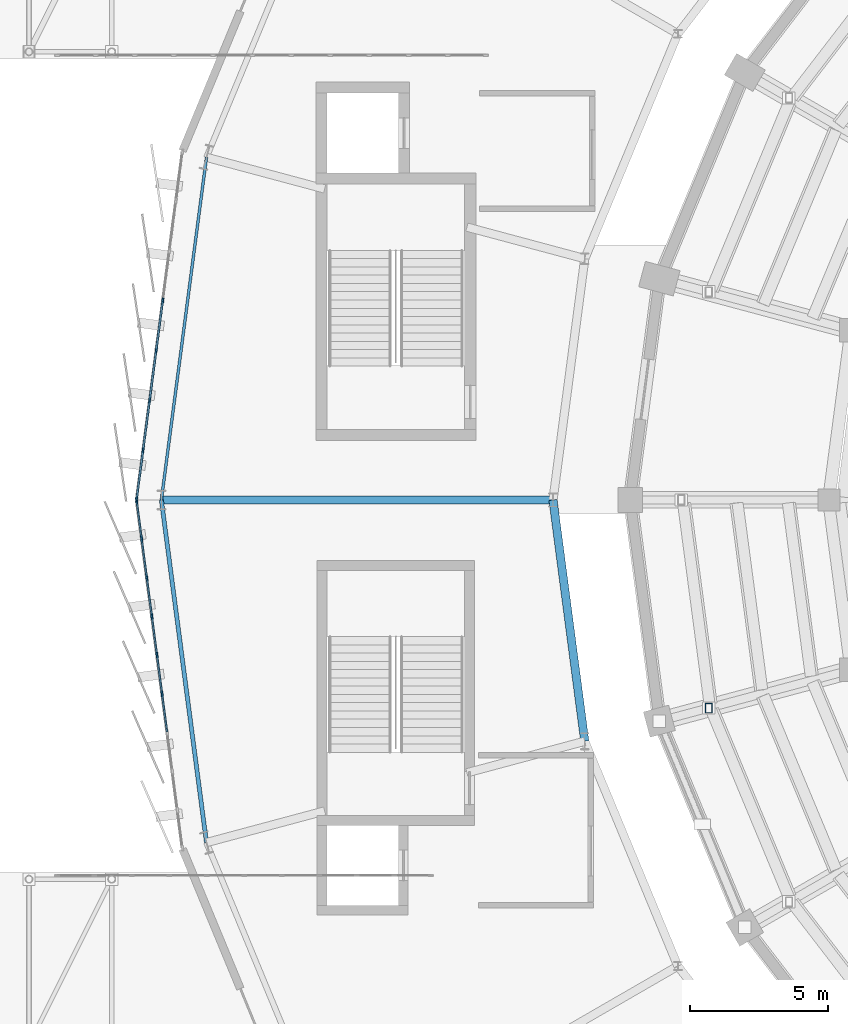
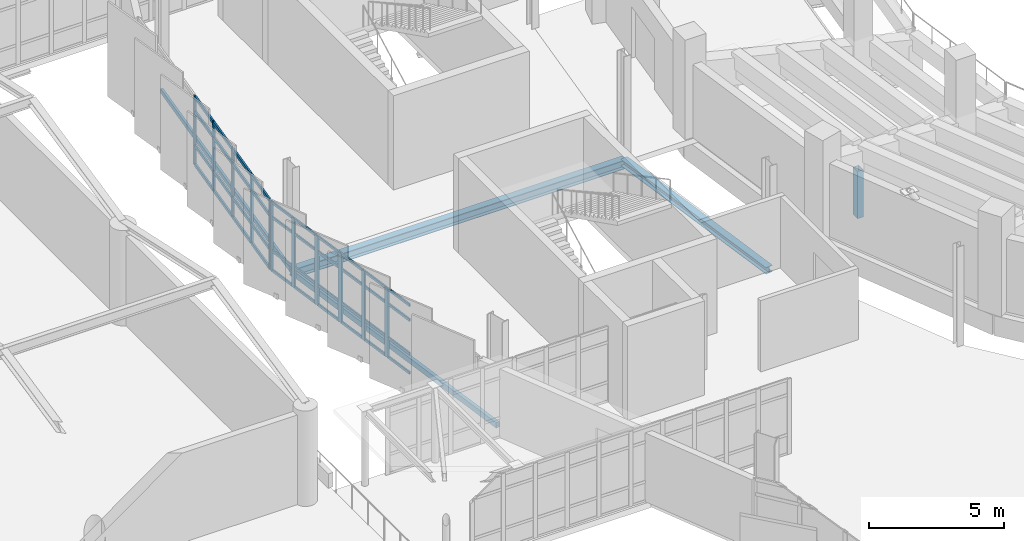
# One storey, part 41 of 120: 52 members, 4 beams, 2 elements without a shape of their own.
"""IFC4 building model written with IfcOpenShell, lengths in metres."""

from ifc_helpers import new_model, si_unit, direction, frame, origin, origin_2d, place, context, subcontext, project, spatial, rectangle, hollow_rectangle, i_section, extrude, material, layer, layer_set, material_profile, profile_set, type_object, element, aggregate, save


model = new_model("IFC4")

# Units and contexts
model_context = context("Model", 3, precision=1e-05, world=origin(), true_north=direction((0.0, 1.0)))
body_context = subcontext(model_context, "Body", "Model", "MODEL_VIEW")
ifc_project = project(units=[si_unit("LENGTHUNIT", "METRE"), si_unit("AREAUNIT", "SQUARE_METRE"), si_unit("VOLUMEUNIT", "CUBIC_METRE"), si_unit("PLANEANGLEUNIT", "RADIAN"), si_unit("MASSUNIT", "GRAM", prefix="KILO")], contexts=[model_context])

# Site, building, storey
site_placement = place(None, origin())
site = spatial("IfcSite", under=ifc_project, at=site_placement, CompositionType="ELEMENT")
building_placement = place(site_placement, origin())
building = spatial("IfcBuilding", under=site, at=building_placement, Name="Sohan Crest Arena", CompositionType="ELEMENT")
storey_placement = place(building_placement, frame((0.0, 0.0, 13.5)))
storey = spatial("IfcBuildingStorey", under=building, at=storey_placement, Name="L03", CompositionType="ELEMENT", Elevation=13.5)

# Curtain wall, members
ifc_material_1 = material(Name="Thermally broken anodised aluminium", Category="aluminium")
ifc_layer_1 = layer(ifc_material_1, 0.2099609375, Name="Thermally broken anodised aluminium")
ifc_layer_set_1 = layer_set([ifc_layer_1], Name="Thermally broken anodised aluminium")
curtain_wall_type_1 = type_object("IfcCurtainWallType", Name="ARC-CW06", PredefinedType="NOTDEFINED", material=ifc_layer_set_1)
curtain_wall_1_placement = place(storey_placement, origin())
curtain_wall_1 = element("IfcCurtainWall", 1, at=curtain_wall_1_placement, inside=storey, type_object=curtain_wall_type_1, Name="Unitised curtain wall CW-084", PredefinedType="NOTDEFINED")
ifc_material_profile_1 = material_profile(ifc_material_1, rectangle(XDim=0.06494140625, YDim=0.179931640625, at=origin_2d()), Name="ALU-MULL 65x180")
ifc_profile_set_1 = profile_set([ifc_material_profile_1], Name="Thermally broken anodised aluminium")
member_type_1 = type_object("IfcMemberType", Name="ARC-CW-ML02", PredefinedType="MULLION", material=ifc_profile_set_1)
member_1_placement = place(storey_placement, frame((50.052001953125, 85.23193359375, 0.0), z_axis=(0.0, 0.0, 1.0), x_axis=(0.991446828069, -0.130511252817, 0.0)))
member_1 = element("IfcMember", 2, at=member_1_placement, type_object=member_type_1, Name="CW-084 mullion 4", PredefinedType="MULLION", context=body_context, shape_type="SweptSolid", body=[
    extrude(rectangle(XDim=0.06494140625, YDim=0.179931640625, at=origin_2d()), origin(), (0.0, 0.0, 1.0), 3.1201171875),
])
member_2_placement = place(storey_placement, frame((49.81396484375, 83.424072265625, 0.0), z_axis=(0.0, 0.0, 1.0), x_axis=(0.991446828069, -0.130511252817, 0.0)))
member_2 = element("IfcMember", 3, at=member_2_placement, type_object=member_type_1, Name="CW-084 mullion 5", PredefinedType="MULLION", context=body_context, shape_type="SweptSolid", body=[
    extrude(rectangle(XDim=0.06494140625, YDim=0.179931640625, at=origin_2d()), origin(), (0.0, 0.0, 1.0), 3.1201171875),
])
member_3_placement = place(storey_placement, frame((49.575927734375, 81.615966796875, 0.0), z_axis=(0.0, 0.0, 1.0), x_axis=(0.991446828069, -0.130511252817, 0.0)))
member_3 = element("IfcMember", 4, at=member_3_placement, type_object=member_type_1, Name="CW-084 mullion 6", PredefinedType="MULLION", context=body_context, shape_type="SweptSolid", body=[
    extrude(rectangle(XDim=0.06494140625, YDim=0.179931640625, at=origin_2d()), origin(), (0.0, 0.0, 1.0), 3.1201171875),
])
member_4_placement = place(storey_placement, frame((49.337890625, 79.80810546875, 0.0), z_axis=(0.0, 0.0, 1.0), x_axis=(0.991446828069, -0.130511252817, 0.0)))
member_4 = element("IfcMember", 5, at=member_4_placement, type_object=member_type_1, Name="CW-084 mullion 7", PredefinedType="MULLION", context=body_context, shape_type="SweptSolid", body=[
    extrude(rectangle(XDim=0.06494140625, YDim=0.179931640625, at=origin_2d()), origin(), (0.0, 0.0, 1.0), 3.1201171875),
])
member_5_placement = place(storey_placement, frame((49.104248046875, 78.0322265625, 0.0), z_axis=(0.0, 0.0, 1.0), x_axis=(0.991446828069, -0.130511252817, 0.0)))
member_5 = element("IfcMember", 6, at=member_5_placement, type_object=member_type_1, Name="CW-084 mullion 8", PredefinedType="MULLION", context=body_context, shape_type="SweptSolid", body=[
    extrude(rectangle(XDim=0.06494140625, YDim=0.179931640625, at=origin_2d()), origin(), (0.0, 0.0, 1.0), 3.1201171875),
])

ifc_layer_2 = layer(ifc_material_1, 0.179931640625, Name="Thermally broken anodised aluminium")
ifc_layer_set_2 = layer_set([ifc_layer_2], Name="Thermally broken anodised aluminium")
curtain_wall_type_2 = type_object("IfcCurtainWallType", Name="ARC-CW01", PredefinedType="NOTDEFINED", material=ifc_layer_set_2)
curtain_wall_2_placement = place(storey_placement, origin())
curtain_wall_2 = element("IfcCurtainWall", 7, at=curtain_wall_2_placement, inside=storey, type_object=curtain_wall_type_2, Name="Unitised curtain wall CW-085", PredefinedType="NOTDEFINED")
ifc_material_profile_2 = material_profile(ifc_material_1, rectangle(XDim=0.070068359375, YDim=0.199951171875, at=origin_2d()), Name="ALU-MULL 70x200")
ifc_profile_set_2 = profile_set([ifc_material_profile_2], Name="Thermally broken anodised aluminium")
member_type_2 = type_object("IfcMemberType", Name="ARC-CW-ML03", PredefinedType="MULLION", material=ifc_profile_set_2)
member_6_placement = place(storey_placement, frame((49.1044921875, 77.96533203125, 0.0), z_axis=(0.0, 0.0, 1.0), x_axis=(0.991446828069, 0.130511252817, 0.0)))
member_6 = element("IfcMember", 8, at=member_6_placement, type_object=member_type_2, Name="CW-085 mullion 1", PredefinedType="MULLION", context=body_context, shape_type="SweptSolid", body=[
    extrude(rectangle(XDim=0.070068359375, YDim=0.199951171875, at=origin_2d()), origin(), (0.0, 0.0, 1.0), 3.1201171875),
])
member_7_placement = place(storey_placement, frame((49.28515625, 76.59375, 0.0), z_axis=(0.0, 0.0, 1.0), x_axis=(0.991446828069, 0.130511252817, 0.0)))
member_7 = element("IfcMember", 9, at=member_7_placement, type_object=member_type_2, Name="CW-085 mullion 2", PredefinedType="MULLION", context=body_context, shape_type="SweptSolid", body=[
    extrude(rectangle(XDim=0.070068359375, YDim=0.199951171875, at=origin_2d()), origin(), (0.0, 0.0, 1.0), 3.1201171875),
])
member_8_placement = place(storey_placement, frame((49.47021484375, 75.1875, 0.0), z_axis=(0.0, 0.0, 1.0), x_axis=(0.991446828069, 0.130511252817, 0.0)))
member_8 = element("IfcMember", 10, at=member_8_placement, type_object=member_type_2, Name="CW-085 mullion 3", PredefinedType="MULLION", context=body_context, shape_type="SweptSolid", body=[
    extrude(rectangle(XDim=0.070068359375, YDim=0.199951171875, at=origin_2d()), origin(), (0.0, 0.0, 1.0), 3.1201171875),
])
member_9_placement = place(storey_placement, frame((49.6552734375, 73.78125, 0.0), z_axis=(0.0, 0.0, 1.0), x_axis=(0.991446828069, 0.130511252817, 0.0)))
member_9 = element("IfcMember", 11, at=member_9_placement, type_object=member_type_2, Name="CW-085 mullion 4", PredefinedType="MULLION", context=body_context, shape_type="SweptSolid", body=[
    extrude(rectangle(XDim=0.070068359375, YDim=0.199951171875, at=origin_2d()), origin(), (0.0, 0.0, 1.0), 3.1201171875),
])
member_10_placement = place(storey_placement, frame((49.84033203125, 72.375, 0.0), z_axis=(0.0, 0.0, 1.0), x_axis=(0.991446828069, 0.130511252817, 0.0)))
member_10 = element("IfcMember", 12, at=member_10_placement, type_object=member_type_2, Name="CW-085 mullion 5", PredefinedType="MULLION", context=body_context, shape_type="SweptSolid", body=[
    extrude(rectangle(XDim=0.070068359375, YDim=0.199951171875, at=origin_2d()), origin(), (0.0, 0.0, 1.0), 3.1201171875),
])
member_11_placement = place(storey_placement, frame((50.025634765625, 70.968994140625, 0.0), z_axis=(0.0, 0.0, 1.0), x_axis=(0.991446828069, 0.130511252817, 0.0)))
member_11 = element("IfcMember", 13, at=member_11_placement, type_object=member_type_2, Name="CW-085 mullion 6", PredefinedType="MULLION", context=body_context, shape_type="SweptSolid", body=[
    extrude(rectangle(XDim=0.070068359375, YDim=0.199951171875, at=origin_2d()), origin(), (0.0, 0.0, 1.0), 3.1201171875),
])
ifc_material_profile_3 = material_profile(ifc_material_1, rectangle(XDim=0.06005859375, YDim=0.1201171875, at=origin_2d()), Name="ALU-TRAN 60x120")
ifc_profile_set_3 = profile_set([ifc_material_profile_3], Name="Thermally broken anodised aluminium")
member_type_3 = type_object("IfcMemberType", Name="ARC-CW-TR01", PredefinedType="USERDEFINED", material=ifc_profile_set_3)
member_12_placement = place(storey_placement, frame((49.109130859375, 77.9306640625, 0.030029296875), z_axis=(0.130483361537, -0.991450499199, 0.0), x_axis=(0.991450499199, 0.130483361537, 0.0)))
member_12 = element("IfcMember", 14, at=member_12_placement, type_object=member_type_3, Name="CW-085 transom 1.1", ObjectType="TRANSOM", PredefinedType="USERDEFINED", context=body_context, shape_type="SweptSolid", body=[
    extrude(rectangle(XDim=0.06005859375, YDim=0.1201171875, at=origin_2d()), origin(), (0.0, 0.0, 1.0), 1.3134765625),
])
member_13_placement = place(storey_placement, frame((49.109130859375, 77.9306640625, 0.89990234375), z_axis=(0.130483361537, -0.991450499199, 0.0), x_axis=(0.991450499199, 0.130483361537, 0.0)))
member_13 = element("IfcMember", 15, at=member_13_placement, type_object=member_type_3, Name="CW-085 transom 1.2", ObjectType="TRANSOM", PredefinedType="USERDEFINED", context=body_context, shape_type="SweptSolid", body=[
    extrude(rectangle(XDim=0.06005859375, YDim=0.1201171875, at=origin_2d()), origin(), (0.0, 0.0, 1.0), 1.3134765625),
])
member_14_placement = place(storey_placement, frame((49.109130859375, 77.9306640625, 2.419921875), z_axis=(0.130483361537, -0.991450499199, 0.0), x_axis=(0.991450499199, 0.130483361537, 0.0)))
member_14 = element("IfcMember", 16, at=member_14_placement, type_object=member_type_3, Name="CW-085 transom 1.3", ObjectType="TRANSOM", PredefinedType="USERDEFINED", context=body_context, shape_type="SweptSolid", body=[
    extrude(rectangle(XDim=0.06005859375, YDim=0.1201171875, at=origin_2d()), origin(), (0.0, 0.0, 1.0), 1.3134765625),
])
member_15_placement = place(storey_placement, frame((49.109130859375, 77.9306640625, 3.090087890625), z_axis=(0.130483361537, -0.991450499199, 0.0), x_axis=(0.991450499199, 0.130483361537, 0.0)))
member_15 = element("IfcMember", 17, at=member_15_placement, type_object=member_type_3, Name="CW-085 transom 1.4", ObjectType="TRANSOM", PredefinedType="USERDEFINED", context=body_context, shape_type="SweptSolid", body=[
    extrude(rectangle(XDim=0.06005859375, YDim=0.1201171875, at=origin_2d()), origin(), (0.0, 0.0, 1.0), 1.3134765625),
])
member_16_placement = place(storey_placement, frame((49.289794921875, 76.55908203125, 0.030029296875), z_axis=(0.13036084071, -0.991466616286, 0.0), x_axis=(0.991466616286, 0.13036084071, 0.0)))
member_16 = element("IfcMember", 18, at=member_16_placement, type_object=member_type_3, Name="CW-085 transom 2.1", ObjectType="TRANSOM", PredefinedType="USERDEFINED", context=body_context, shape_type="SweptSolid", body=[
    extrude(rectangle(XDim=0.06005859375, YDim=0.1201171875, at=origin_2d()), origin(), (0.0, 0.0, 1.0), 1.348388671875),
])
member_17_placement = place(storey_placement, frame((49.289794921875, 76.55908203125, 0.89990234375), z_axis=(0.13036084071, -0.991466616286, 0.0), x_axis=(0.991466616286, 0.13036084071, 0.0)))
member_17 = element("IfcMember", 19, at=member_17_placement, type_object=member_type_3, Name="CW-085 transom 2.2", ObjectType="TRANSOM", PredefinedType="USERDEFINED", context=body_context, shape_type="SweptSolid", body=[
    extrude(rectangle(XDim=0.06005859375, YDim=0.1201171875, at=origin_2d()), origin(), (0.0, 0.0, 1.0), 1.348388671875),
])
member_18_placement = place(storey_placement, frame((49.289794921875, 76.55908203125, 2.419921875), z_axis=(0.13036084071, -0.991466616286, 0.0), x_axis=(0.991466616286, 0.13036084071, 0.0)))
member_18 = element("IfcMember", 20, at=member_18_placement, type_object=member_type_3, Name="CW-085 transom 2.3", ObjectType="TRANSOM", PredefinedType="USERDEFINED", context=body_context, shape_type="SweptSolid", body=[
    extrude(rectangle(XDim=0.06005859375, YDim=0.1201171875, at=origin_2d()), origin(), (0.0, 0.0, 1.0), 1.348388671875),
])
member_19_placement = place(storey_placement, frame((49.289794921875, 76.55908203125, 3.090087890625), z_axis=(0.13036084071, -0.991466616286, 0.0), x_axis=(0.991466616286, 0.13036084071, 0.0)))
member_19 = element("IfcMember", 21, at=member_19_placement, type_object=member_type_3, Name="CW-085 transom 2.4", ObjectType="TRANSOM", PredefinedType="USERDEFINED", context=body_context, shape_type="SweptSolid", body=[
    extrude(rectangle(XDim=0.06005859375, YDim=0.1201171875, at=origin_2d()), origin(), (0.0, 0.0, 1.0), 1.348388671875),
])
member_20_placement = place(storey_placement, frame((49.474853515625, 75.15283203125, 0.030029296875), z_axis=(0.13053881426, -0.991443199569, 0.0), x_axis=(0.991443199569, 0.13053881426, 0.0)))
member_20 = element("IfcMember", 22, at=member_20_placement, type_object=member_type_3, Name="CW-085 transom 3.1", ObjectType="TRANSOM", PredefinedType="USERDEFINED", context=body_context, shape_type="SweptSolid", body=[
    extrude(rectangle(XDim=0.06005859375, YDim=0.1201171875, at=origin_2d()), origin(), (0.0, 0.0, 1.0), 1.348388671875),
])
member_21_placement = place(storey_placement, frame((49.474853515625, 75.15283203125, 0.89990234375), z_axis=(0.13053881426, -0.991443199569, 0.0), x_axis=(0.991443199569, 0.13053881426, 0.0)))
member_21 = element("IfcMember", 23, at=member_21_placement, type_object=member_type_3, Name="CW-085 transom 3.2", ObjectType="TRANSOM", PredefinedType="USERDEFINED", context=body_context, shape_type="SweptSolid", body=[
    extrude(rectangle(XDim=0.06005859375, YDim=0.1201171875, at=origin_2d()), origin(), (0.0, 0.0, 1.0), 1.348388671875),
])
member_22_placement = place(storey_placement, frame((49.474853515625, 75.15283203125, 2.419921875), z_axis=(0.13053881426, -0.991443199569, 0.0), x_axis=(0.991443199569, 0.13053881426, 0.0)))
member_22 = element("IfcMember", 24, at=member_22_placement, type_object=member_type_3, Name="CW-085 transom 3.3", ObjectType="TRANSOM", PredefinedType="USERDEFINED", context=body_context, shape_type="SweptSolid", body=[
    extrude(rectangle(XDim=0.06005859375, YDim=0.1201171875, at=origin_2d()), origin(), (0.0, 0.0, 1.0), 1.348388671875),
])
member_23_placement = place(storey_placement, frame((49.474853515625, 75.15283203125, 3.090087890625), z_axis=(0.13053881426, -0.991443199569, 0.0), x_axis=(0.991443199569, 0.13053881426, 0.0)))
member_23 = element("IfcMember", 25, at=member_23_placement, type_object=member_type_3, Name="CW-085 transom 3.4", ObjectType="TRANSOM", PredefinedType="USERDEFINED", context=body_context, shape_type="SweptSolid", body=[
    extrude(rectangle(XDim=0.06005859375, YDim=0.1201171875, at=origin_2d()), origin(), (0.0, 0.0, 1.0), 1.348388671875),
])
member_24_placement = place(storey_placement, frame((49.659912109375, 73.74658203125, 0.030029296875), z_axis=(0.130562250568, -0.991440113535, 0.0), x_axis=(0.991440113535, 0.130562250568, 0.0)))
member_24 = element("IfcMember", 26, at=member_24_placement, type_object=member_type_3, Name="CW-085 transom 4.1", ObjectType="TRANSOM", PredefinedType="USERDEFINED", context=body_context, shape_type="SweptSolid", body=[
    extrude(rectangle(XDim=0.06005859375, YDim=0.1201171875, at=origin_2d()), origin(), (0.0, 0.0, 1.0), 1.34814453125),
])
member_25_placement = place(storey_placement, frame((49.659912109375, 73.74658203125, 0.89990234375), z_axis=(0.130562250568, -0.991440113535, 0.0), x_axis=(0.991440113535, 0.130562250568, 0.0)))
member_25 = element("IfcMember", 27, at=member_25_placement, type_object=member_type_3, Name="CW-085 transom 4.2", ObjectType="TRANSOM", PredefinedType="USERDEFINED", context=body_context, shape_type="SweptSolid", body=[
    extrude(rectangle(XDim=0.06005859375, YDim=0.1201171875, at=origin_2d()), origin(), (0.0, 0.0, 1.0), 1.34814453125),
])
member_26_placement = place(storey_placement, frame((49.659912109375, 73.74658203125, 2.419921875), z_axis=(0.130562250568, -0.991440113535, 0.0), x_axis=(0.991440113535, 0.130562250568, 0.0)))
member_26 = element("IfcMember", 28, at=member_26_placement, type_object=member_type_3, Name="CW-085 transom 4.3", ObjectType="TRANSOM", PredefinedType="USERDEFINED", context=body_context, shape_type="SweptSolid", body=[
    extrude(rectangle(XDim=0.06005859375, YDim=0.1201171875, at=origin_2d()), origin(), (0.0, 0.0, 1.0), 1.34814453125),
])
member_27_placement = place(storey_placement, frame((49.659912109375, 73.74658203125, 3.090087890625), z_axis=(0.130562250568, -0.991440113535, 0.0), x_axis=(0.991440113535, 0.130562250568, 0.0)))
member_27 = element("IfcMember", 29, at=member_27_placement, type_object=member_type_3, Name="CW-085 transom 4.4", ObjectType="TRANSOM", PredefinedType="USERDEFINED", context=body_context, shape_type="SweptSolid", body=[
    extrude(rectangle(XDim=0.06005859375, YDim=0.1201171875, at=origin_2d()), origin(), (0.0, 0.0, 1.0), 1.34814453125),
])
member_28_placement = place(storey_placement, frame((49.844970703125, 72.34033203125, 0.030029296875), z_axis=(0.130562250568, -0.991440113535, 0.0), x_axis=(0.991440113535, 0.130562250568, 0.0)))
member_28 = element("IfcMember", 30, at=member_28_placement, type_object=member_type_3, Name="CW-085 transom 5.1", ObjectType="TRANSOM", PredefinedType="USERDEFINED", context=body_context, shape_type="SweptSolid", body=[
    extrude(rectangle(XDim=0.06005859375, YDim=0.1201171875, at=origin_2d()), origin(), (0.0, 0.0, 1.0), 1.34814453125),
])
member_29_placement = place(storey_placement, frame((49.844970703125, 72.34033203125, 0.89990234375), z_axis=(0.130562250568, -0.991440113535, 0.0), x_axis=(0.991440113535, 0.130562250568, 0.0)))
member_29 = element("IfcMember", 31, at=member_29_placement, type_object=member_type_3, Name="CW-085 transom 5.2", ObjectType="TRANSOM", PredefinedType="USERDEFINED", context=body_context, shape_type="SweptSolid", body=[
    extrude(rectangle(XDim=0.06005859375, YDim=0.1201171875, at=origin_2d()), origin(), (0.0, 0.0, 1.0), 1.34814453125),
])
member_30_placement = place(storey_placement, frame((49.844970703125, 72.34033203125, 2.419921875), z_axis=(0.130562250568, -0.991440113535, 0.0), x_axis=(0.991440113535, 0.130562250568, 0.0)))
member_30 = element("IfcMember", 32, at=member_30_placement, type_object=member_type_3, Name="CW-085 transom 5.3", ObjectType="TRANSOM", PredefinedType="USERDEFINED", context=body_context, shape_type="SweptSolid", body=[
    extrude(rectangle(XDim=0.06005859375, YDim=0.1201171875, at=origin_2d()), origin(), (0.0, 0.0, 1.0), 1.34814453125),
])
member_31_placement = place(storey_placement, frame((49.844970703125, 72.34033203125, 3.090087890625), z_axis=(0.130562250568, -0.991440113535, 0.0), x_axis=(0.991440113535, 0.130562250568, 0.0)))
member_31 = element("IfcMember", 33, at=member_31_placement, type_object=member_type_3, Name="CW-085 transom 5.4", ObjectType="TRANSOM", PredefinedType="USERDEFINED", context=body_context, shape_type="SweptSolid", body=[
    extrude(rectangle(XDim=0.06005859375, YDim=0.1201171875, at=origin_2d()), origin(), (0.0, 0.0, 1.0), 1.34814453125),
])
member_32_placement = place(storey_placement, frame((50.030029296875, 70.93408203125, 0.030029296875), z_axis=(0.130562250568, -0.991440113535, 0.0), x_axis=(0.991440113535, 0.130562250568, 0.0)))
member_32 = element("IfcMember", 34, at=member_32_placement, type_object=member_type_3, Name="CW-085 transom 6.1", ObjectType="TRANSOM", PredefinedType="USERDEFINED", context=body_context, shape_type="SweptSolid", body=[
    extrude(rectangle(XDim=0.06005859375, YDim=0.1201171875, at=origin_2d()), origin(), (0.0, 0.0, 1.0), 1.34814453125),
])
member_33_placement = place(storey_placement, frame((50.030029296875, 70.93408203125, 0.89990234375), z_axis=(0.130562250568, -0.991440113535, 0.0), x_axis=(0.991440113535, 0.130562250568, 0.0)))
member_33 = element("IfcMember", 35, at=member_33_placement, type_object=member_type_3, Name="CW-085 transom 6.2", ObjectType="TRANSOM", PredefinedType="USERDEFINED", context=body_context, shape_type="SweptSolid", body=[
    extrude(rectangle(XDim=0.06005859375, YDim=0.1201171875, at=origin_2d()), origin(), (0.0, 0.0, 1.0), 1.34814453125),
])
member_34_placement = place(storey_placement, frame((50.030029296875, 70.93408203125, 2.419921875), z_axis=(0.130562250568, -0.991440113535, 0.0), x_axis=(0.991440113535, 0.130562250568, 0.0)))
member_34 = element("IfcMember", 36, at=member_34_placement, type_object=member_type_3, Name="CW-085 transom 6.3", ObjectType="TRANSOM", PredefinedType="USERDEFINED", context=body_context, shape_type="SweptSolid", body=[
    extrude(rectangle(XDim=0.06005859375, YDim=0.1201171875, at=origin_2d()), origin(), (0.0, 0.0, 1.0), 1.34814453125),
])
member_35_placement = place(storey_placement, frame((50.030029296875, 70.93408203125, 3.090087890625), z_axis=(0.130562250568, -0.991440113535, 0.0), x_axis=(0.991440113535, 0.130562250568, 0.0)))
member_35 = element("IfcMember", 37, at=member_35_placement, type_object=member_type_3, Name="CW-085 transom 6.4", ObjectType="TRANSOM", PredefinedType="USERDEFINED", context=body_context, shape_type="SweptSolid", body=[
    extrude(rectangle(XDim=0.06005859375, YDim=0.1201171875, at=origin_2d()), origin(), (0.0, 0.0, 1.0), 1.34814453125),
])
aggregate(curtain_wall_2, [member_6, member_7, member_8, member_9, member_10, member_11, member_12, member_13, member_14, member_15, member_16, member_17, member_18, member_19, member_20, member_21, member_22, member_23, member_24, member_25, member_26, member_27, member_28, member_29, member_30, member_31, member_32, member_33, member_34, member_35])

# Member
ifc_material_profile_4 = material_profile(ifc_material_1, rectangle(XDim=0.070068359375, YDim=0.14990234375, at=origin_2d()), Name="ALU-TRAN 70x150")
ifc_profile_set_4 = profile_set([ifc_material_profile_4], Name="Thermally broken anodised aluminium")
member_type_4 = type_object("IfcMemberType", Name="ARC-CW-TR03", PredefinedType="USERDEFINED", material=ifc_profile_set_4)
member_36_placement = place(storey_placement, frame((50.0478515625, 85.19970703125, 0.034912109375), z_axis=(-0.130508384443, -0.991447205649, 0.0), x_axis=(0.991447205649, -0.130508384443, 0.0)))
member_36 = element("IfcMember", 38, at=member_36_placement, type_object=member_type_4, Name="CW-084 transom 4.1", ObjectType="TRANSOM", PredefinedType="USERDEFINED", context=body_context, shape_type="SweptSolid", body=[
    extrude(rectangle(XDim=0.070068359375, YDim=0.14990234375, at=origin_2d()), origin(), (0.0, 0.0, 1.0), 1.758544921875),
])

member_37_placement = place(storey_placement, frame((50.0478515625, 85.19970703125, 0.89990234375), z_axis=(-0.130508384443, -0.991447205649, 0.0), x_axis=(0.991447205649, -0.130508384443, 0.0)))
member_37 = element("IfcMember", 39, at=member_37_placement, type_object=member_type_4, Name="CW-084 transom 4.2", ObjectType="TRANSOM", PredefinedType="USERDEFINED", context=body_context, shape_type="SweptSolid", body=[
    extrude(rectangle(XDim=0.070068359375, YDim=0.14990234375, at=origin_2d()), origin(), (0.0, 0.0, 1.0), 1.758544921875),
])

member_38_placement = place(storey_placement, frame((50.0478515625, 85.19970703125, 2.419921875), z_axis=(-0.130508384443, -0.991447205649, 0.0), x_axis=(0.991447205649, -0.130508384443, 0.0)))
member_38 = element("IfcMember", 40, at=member_38_placement, type_object=member_type_4, Name="CW-084 transom 4.3", ObjectType="TRANSOM", PredefinedType="USERDEFINED", context=body_context, shape_type="SweptSolid", body=[
    extrude(rectangle(XDim=0.070068359375, YDim=0.14990234375, at=origin_2d()), origin(), (0.0, 0.0, 1.0), 1.758544921875),
])

member_39_placement = place(storey_placement, frame((50.0478515625, 85.19970703125, 3.0849609375), z_axis=(-0.130508384443, -0.991447205649, 0.0), x_axis=(0.991447205649, -0.130508384443, 0.0)))
member_39 = element("IfcMember", 41, at=member_39_placement, type_object=member_type_4, Name="CW-084 transom 4.4", ObjectType="TRANSOM", PredefinedType="USERDEFINED", context=body_context, shape_type="SweptSolid", body=[
    extrude(rectangle(XDim=0.070068359375, YDim=0.14990234375, at=origin_2d()), origin(), (0.0, 0.0, 1.0), 1.758544921875),
])

member_40_placement = place(storey_placement, frame((49.809814453125, 83.391845703125, 0.034912109375), z_axis=(-0.130490422253, -0.991449569923, 0.0), x_axis=(0.991449569923, -0.130490422253, 0.0)))
member_40 = element("IfcMember", 42, at=member_40_placement, type_object=member_type_4, Name="CW-084 transom 5.1", ObjectType="TRANSOM", PredefinedType="USERDEFINED", context=body_context, shape_type="SweptSolid", body=[
    extrude(rectangle(XDim=0.070068359375, YDim=0.14990234375, at=origin_2d()), origin(), (0.0, 0.0, 1.0), 1.7587890625),
])

member_41_placement = place(storey_placement, frame((49.809814453125, 83.391845703125, 0.89990234375), z_axis=(-0.130490422253, -0.991449569923, 0.0), x_axis=(0.991449569923, -0.130490422253, 0.0)))
member_41 = element("IfcMember", 43, at=member_41_placement, type_object=member_type_4, Name="CW-084 transom 5.2", ObjectType="TRANSOM", PredefinedType="USERDEFINED", context=body_context, shape_type="SweptSolid", body=[
    extrude(rectangle(XDim=0.070068359375, YDim=0.14990234375, at=origin_2d()), origin(), (0.0, 0.0, 1.0), 1.7587890625),
])

member_42_placement = place(storey_placement, frame((49.809814453125, 83.391845703125, 2.419921875), z_axis=(-0.130490422253, -0.991449569923, 0.0), x_axis=(0.991449569923, -0.130490422253, 0.0)))
member_42 = element("IfcMember", 44, at=member_42_placement, type_object=member_type_4, Name="CW-084 transom 5.3", ObjectType="TRANSOM", PredefinedType="USERDEFINED", context=body_context, shape_type="SweptSolid", body=[
    extrude(rectangle(XDim=0.070068359375, YDim=0.14990234375, at=origin_2d()), origin(), (0.0, 0.0, 1.0), 1.7587890625),
])

member_43_placement = place(storey_placement, frame((49.809814453125, 83.391845703125, 3.0849609375), z_axis=(-0.130490422253, -0.991449569923, 0.0), x_axis=(0.991449569923, -0.130490422253, 0.0)))
member_43 = element("IfcMember", 45, at=member_43_placement, type_object=member_type_4, Name="CW-084 transom 5.4", ObjectType="TRANSOM", PredefinedType="USERDEFINED", context=body_context, shape_type="SweptSolid", body=[
    extrude(rectangle(XDim=0.070068359375, YDim=0.14990234375, at=origin_2d()), origin(), (0.0, 0.0, 1.0), 1.7587890625),
])

member_44_placement = place(storey_placement, frame((49.57177734375, 81.583740234375, 0.034912109375), z_axis=(-0.130508384443, -0.991447205649, 0.0), x_axis=(0.991447205649, -0.130508384443, 0.0)))
member_44 = element("IfcMember", 46, at=member_44_placement, type_object=member_type_4, Name="CW-084 transom 6.1", ObjectType="TRANSOM", PredefinedType="USERDEFINED", context=body_context, shape_type="SweptSolid", body=[
    extrude(rectangle(XDim=0.070068359375, YDim=0.14990234375, at=origin_2d()), origin(), (0.0, 0.0, 1.0), 1.758544921875),
])

member_45_placement = place(storey_placement, frame((49.57177734375, 81.583740234375, 0.89990234375), z_axis=(-0.130508384443, -0.991447205649, 0.0), x_axis=(0.991447205649, -0.130508384443, 0.0)))
member_45 = element("IfcMember", 47, at=member_45_placement, type_object=member_type_4, Name="CW-084 transom 6.2", ObjectType="TRANSOM", PredefinedType="USERDEFINED", context=body_context, shape_type="SweptSolid", body=[
    extrude(rectangle(XDim=0.070068359375, YDim=0.14990234375, at=origin_2d()), origin(), (0.0, 0.0, 1.0), 1.758544921875),
])

member_46_placement = place(storey_placement, frame((49.57177734375, 81.583740234375, 2.419921875), z_axis=(-0.130508384443, -0.991447205649, 0.0), x_axis=(0.991447205649, -0.130508384443, 0.0)))
member_46 = element("IfcMember", 48, at=member_46_placement, type_object=member_type_4, Name="CW-084 transom 6.3", ObjectType="TRANSOM", PredefinedType="USERDEFINED", context=body_context, shape_type="SweptSolid", body=[
    extrude(rectangle(XDim=0.070068359375, YDim=0.14990234375, at=origin_2d()), origin(), (0.0, 0.0, 1.0), 1.758544921875),
])

member_47_placement = place(storey_placement, frame((49.57177734375, 81.583740234375, 3.0849609375), z_axis=(-0.130508384443, -0.991447205649, 0.0), x_axis=(0.991447205649, -0.130508384443, 0.0)))
member_47 = element("IfcMember", 49, at=member_47_placement, type_object=member_type_4, Name="CW-084 transom 6.4", ObjectType="TRANSOM", PredefinedType="USERDEFINED", context=body_context, shape_type="SweptSolid", body=[
    extrude(rectangle(XDim=0.070068359375, YDim=0.14990234375, at=origin_2d()), origin(), (0.0, 0.0, 1.0), 1.758544921875),
])

member_48_placement = place(storey_placement, frame((49.333740234375, 79.77587890625, 0.034912109375), z_axis=(-0.13054231775, -0.991442738274, 0.0), x_axis=(0.991442738274, -0.13054231775, 0.0)))
member_48 = element("IfcMember", 50, at=member_48_placement, type_object=member_type_4, Name="CW-084 transom 7.1", ObjectType="TRANSOM", PredefinedType="USERDEFINED", context=body_context, shape_type="SweptSolid", body=[
    extrude(rectangle(XDim=0.070068359375, YDim=0.14990234375, at=origin_2d()), origin(), (0.0, 0.0, 1.0), 1.726318359375),
])

member_49_placement = place(storey_placement, frame((49.333740234375, 79.77587890625, 0.89990234375), z_axis=(-0.13054231775, -0.991442738274, 0.0), x_axis=(0.991442738274, -0.13054231775, 0.0)))
member_49 = element("IfcMember", 51, at=member_49_placement, type_object=member_type_4, Name="CW-084 transom 7.2", ObjectType="TRANSOM", PredefinedType="USERDEFINED", context=body_context, shape_type="SweptSolid", body=[
    extrude(rectangle(XDim=0.070068359375, YDim=0.14990234375, at=origin_2d()), origin(), (0.0, 0.0, 1.0), 1.726318359375),
])

member_50_placement = place(storey_placement, frame((49.333740234375, 79.77587890625, 2.419921875), z_axis=(-0.13054231775, -0.991442738274, 0.0), x_axis=(0.991442738274, -0.13054231775, 0.0)))
member_50 = element("IfcMember", 52, at=member_50_placement, type_object=member_type_4, Name="CW-084 transom 7.3", ObjectType="TRANSOM", PredefinedType="USERDEFINED", context=body_context, shape_type="SweptSolid", body=[
    extrude(rectangle(XDim=0.070068359375, YDim=0.14990234375, at=origin_2d()), origin(), (0.0, 0.0, 1.0), 1.726318359375),
])

member_51_placement = place(storey_placement, frame((49.333740234375, 79.77587890625, 3.0849609375), z_axis=(-0.13054231775, -0.991442738274, 0.0), x_axis=(0.991442738274, -0.13054231775, 0.0)))
member_51 = element("IfcMember", 53, at=member_51_placement, type_object=member_type_4, Name="CW-084 transom 7.4", ObjectType="TRANSOM", PredefinedType="USERDEFINED", context=body_context, shape_type="SweptSolid", body=[
    extrude(rectangle(XDim=0.070068359375, YDim=0.14990234375, at=origin_2d()), origin(), (0.0, 0.0, 1.0), 1.726318359375),
])

aggregate(curtain_wall_1, [member_1, member_2, member_3, member_4, member_5, member_36, member_37, member_38, member_39, member_40, member_41, member_42, member_43, member_44, member_45, member_46, member_47, member_48, member_49, member_50, member_51])

# Beams
ifc_material_2 = material(Name="Steel S355", Category="steel")
ifc_material_profile_5 = material_profile(ifc_material_2, i_section(OverallWidth=0.300048828125, OverallDepth=0.300048828125, WebThickness=0.010986328125, FlangeThickness=0.01904296875, at=origin_2d()), Name="HEB 300")
ifc_profile_set_5 = profile_set([ifc_material_profile_5], Name="Steel S355")
beam_type_1 = type_object("IfcBeamType", Name="STR-BM-B12", PredefinedType="BEAM", material=ifc_profile_set_5)
beam_1_placement = place(storey_placement, frame((64.199951171875, 78.0, -0.39990234375), z_axis=(0.130570461953, -0.991439032147, 0.0), x_axis=(0.991439032147, 0.130570461953, 0.0)))
element("IfcBeam", 54, at=beam_1_placement, inside=storey, type_object=beam_type_1, Name="Structural beam G-L03-1424", PredefinedType="BEAM", context=body_context, shape_type="SweptSolid", body=[
    extrude(i_section(OverallWidth=0.300048828125, OverallDepth=0.300048828125, WebThickness=0.010986328125, FlangeThickness=0.01904296875, at=origin_2d()), origin(), (0.0, 0.0, 1.0), 8.823486328125),
])
ifc_material_profile_6 = material_profile(ifc_material_2, i_section(OverallWidth=0.300048828125, OverallDepth=0.39990234375, WebThickness=0.013427734375, FlangeThickness=0.02392578125, at=origin_2d()), Name="HEB 400")
ifc_profile_set_6 = profile_set([ifc_material_profile_6], Name="Steel S355")
beam_type_2 = type_object("IfcBeamType", Name="STR-BM-B13", PredefinedType="BEAM", material=ifc_profile_set_6)
beam_2_placement = place(storey_placement, frame((64.199951171875, 78.0, -0.449951171875), z_axis=(-1.0, 0.0, 0.0), x_axis=(0.0, -1.0, 0.0)))
element("IfcBeam", 55, at=beam_2_placement, inside=storey, type_object=beam_type_2, Name="Structural beam G-L03-1423", PredefinedType="BEAM", context=body_context, shape_type="SweptSolid", body=[
    extrude(i_section(OverallWidth=0.300048828125, OverallDepth=0.39990234375, WebThickness=0.013427734375, FlangeThickness=0.02392578125, at=origin_2d()), origin(), (0.0, 0.0, 1.0), 14.199951171875),
])
ifc_material_profile_7 = material_profile(ifc_material_2, hollow_rectangle(XDim=0.10009765625, YDim=0.199951171875, WallThickness=0.008056640625, at=origin_2d()), Name="RHS 200x100x8")
ifc_profile_set_7 = profile_set([ifc_material_profile_7], Name="Steel S355")
beam_type_3 = type_object("IfcBeamType", Name="STR-BM-SP01", PredefinedType="SPANDREL", material=ifc_profile_set_7)
beam_3_placement = place(storey_placement, frame((51.635986328125, 90.423095703125, -0.35009765625), z_axis=(-0.130561865783, -0.991440164207, 0.0), x_axis=(0.991440164207, -0.130561865783, 0.0)))
element("IfcBeam", 56, at=beam_3_placement, inside=storey, type_object=beam_type_3, Name="Structural beam SP-L03-1422", PredefinedType="SPANDREL", context=body_context, shape_type="SweptSolid", body=[
    extrude(hollow_rectangle(XDim=0.10009765625, YDim=0.199951171875, WallThickness=0.008056640625, at=origin_2d()), origin(), (0.0, 0.0, 1.0), 12.5302734375),
])
ifc_material_profile_8 = material_profile(ifc_material_2, hollow_rectangle(XDim=0.14990234375, YDim=0.25, WallThickness=0.010009765625, at=origin_2d()), Name="RHS 250x150x10")
ifc_profile_set_8 = profile_set([ifc_material_profile_8], Name="Steel S355")
beam_type_4 = type_object("IfcBeamType", Name="STR-BM-SP02", PredefinedType="SPANDREL", material=ifc_profile_set_8)
beam_4_placement = place(storey_placement, frame((50.0, 78.0, -0.375), z_axis=(0.130561865783, -0.991440164207, 0.0), x_axis=(0.991440164207, 0.130561865783, 0.0)))
element("IfcBeam", 57, at=beam_4_placement, inside=storey, type_object=beam_type_4, Name="Structural beam SP-L03-1425", PredefinedType="SPANDREL", context=body_context, shape_type="SweptSolid", body=[
    extrude(hollow_rectangle(XDim=0.14990234375, YDim=0.25, WallThickness=0.010009765625, at=origin_2d()), origin(), (0.0, 0.0, 1.0), 12.5302734375),
])

# Member
ifc_material_profile_9 = material_profile(ifc_material_2, hollow_rectangle(XDim=0.25, YDim=0.35009765625, WallThickness=0.012451171875, at=origin_2d()), Name="RHS 350x250x12.5")
ifc_profile_set_9 = profile_set([ifc_material_profile_9], Name="Steel S355")
member_type_5 = type_object("IfcMemberType", Name="STR-MEM-CH04", PredefinedType="CHORD", material=ifc_profile_set_9)
member_52_placement = place(storey_placement, frame((69.843017578125, 70.4560546875, -0.260009765625), z_axis=(0.0, 0.0, 1.0), x_axis=(1.0, 0.0, 0.0)))
element("IfcMember", 58, at=member_52_placement, inside=storey, type_object=member_type_5, Name="Upper tier rear raker support post RKP-O08", PredefinedType="CHORD", context=body_context, shape_type="SweptSolid", body=[
    extrude(hollow_rectangle(XDim=0.25, YDim=0.35009765625, WallThickness=0.012451171875, at=origin_2d()), origin(), (0.0, 0.0, 1.0), 2.135009765625),
])

save(model, "model.ifc")
